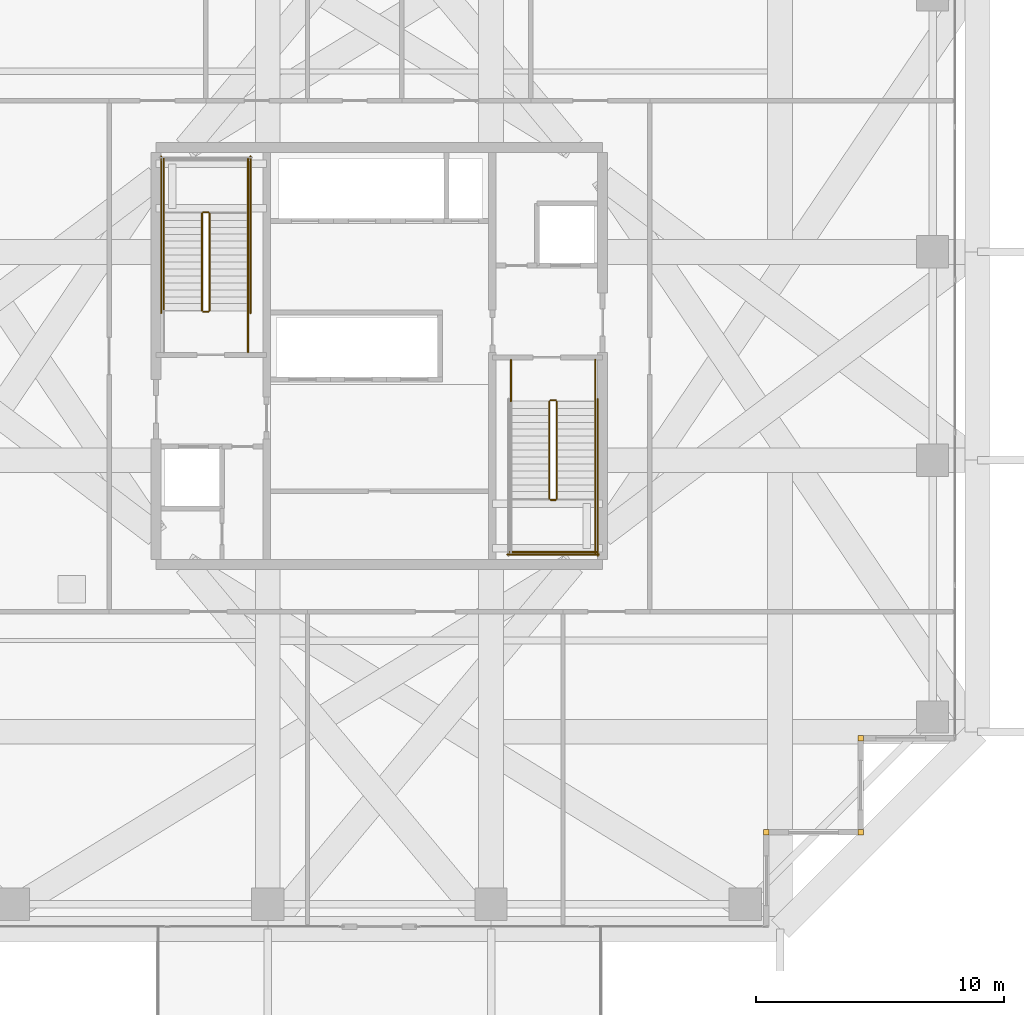
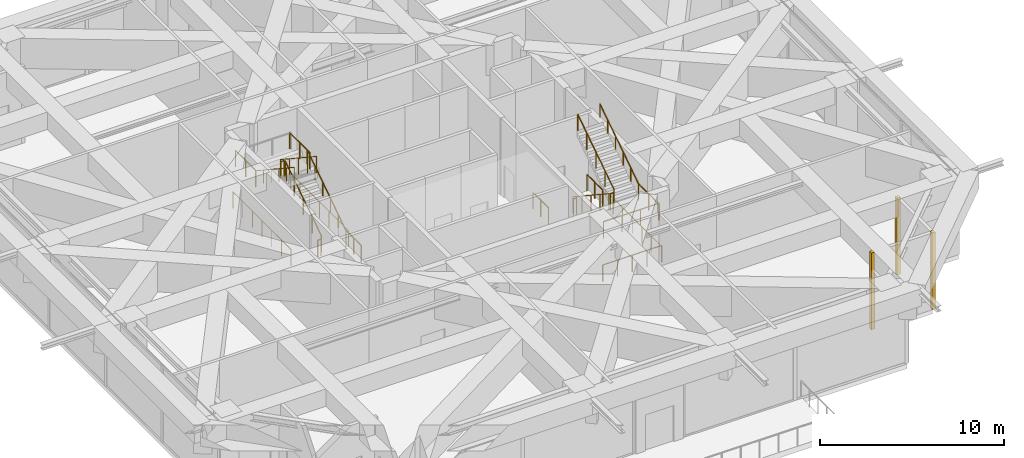
# One storey, part 37 of 38: 22 railings, 3 coverings.
"""IFC4 building model written with IfcOpenShell, lengths in metres."""

from ifc_helpers import new_model, si_unit, direction, frame, origin, origin_2d, place, context, subcontext, project, spatial, rectangle, circle, extrude, source, transform, mapped, material, layer, layer_set, type_object, element, save


model = new_model("IFC4")

# Units and contexts
model_context = context("Model", 3, precision=1e-05, world=origin(), true_north=direction((0.0, 1.0)))
body_context = subcontext(model_context, "Body", "Model", "MODEL_VIEW")
ifc_project = project(units=[si_unit("LENGTHUNIT", "METRE"), si_unit("AREAUNIT", "SQUARE_METRE"), si_unit("VOLUMEUNIT", "CUBIC_METRE"), si_unit("PLANEANGLEUNIT", "RADIAN"), si_unit("MASSUNIT", "GRAM", prefix="KILO")], contexts=[model_context])

# Site, building, storey
site_placement = place(None, origin())
site = spatial("IfcSite", under=ifc_project, at=site_placement, CompositionType="ELEMENT")
building_placement = place(site_placement, origin())
building = spatial("IfcBuilding", under=site, at=building_placement, Name="Serunith Strait Residences", CompositionType="ELEMENT")
storey_placement = place(building_placement, frame((0.0, 0.0, 204.89990234375)))
storey = spatial("IfcBuildingStorey", under=building, at=storey_placement, Name="L51", CompositionType="ELEMENT", Elevation=204.89990234375)

# Railings
ifc_material_1 = material(Name="Brushed stainless steel 316L", Category="steel")
railing_type_1 = type_object("IfcRailingType", Name="RLG-STAIR-GUARD", PredefinedType="BALUSTRADE", material=ifc_material_1)
railing_1_placement = place(storey_placement, frame((25.550048828125, 27.030029296875, 0.18505859375)))
element("IfcRailing", 1, at=railing_1_placement, inside=storey, type_object=railing_type_1, Name="L51 ST-1 stair guard 1", PredefinedType="BALUSTRADE", context=body_context, shape_type="SweptSolid", body=[
    extrude(circle(Radius=0.02392578125, at=origin_2d()), frame((0.0, 0.001708984375, 1.0771484375), z_axis=(0.0, 0.834321663476, 0.551277935215), x_axis=(-1.0, 0.0, 0.0)), (0.0, 0.0, 1.0), 4.6943359375),
    extrude(circle(Radius=0.02099609375, at=origin_2d()), origin(), (0.0, 0.0, 1.0), 1.050048828125),
    extrude(circle(Radius=0.02099609375, at=origin_2d()), frame((0.0, 0.97998046875, 0.6474609375)), (0.0, 0.0, 1.0), 1.050048828125),
    extrude(circle(Radius=0.02099609375, at=origin_2d()), frame((0.0, 1.9599609375, 1.294921875)), (0.0, 0.0, 1.0), 1.050048828125),
    extrude(circle(Radius=0.02099609375, at=origin_2d()), frame((0.0, 2.93994140625, 1.942626953125)), (0.0, 0.0, 1.0), 1.050048828125),
    extrude(circle(Radius=0.02099609375, at=origin_2d()), frame((0.0, 3.919921875, 2.590087890625)), (0.0, 0.0, 1.0), 1.050048828125),
])
railing_2_placement = place(storey_placement, frame((25.5, 31.0, 2.775146484375)))
element("IfcRailing", 2, at=railing_2_placement, inside=storey, type_object=railing_type_1, Name="L51 ST-1 stair guard 2", PredefinedType="BALUSTRADE", context=body_context, shape_type="SweptSolid", body=[
    extrude(circle(Radius=0.02392578125, at=origin_2d()), frame((-0.001953125, 0.0, 1.076171875), z_axis=(-1.0, 0.0, 0.0), x_axis=(0.0, -1.0, 0.0)), (0.0, 0.0, 1.0), 0.196044921875),
    extrude(circle(Radius=0.02099609375, at=origin_2d()), origin(), (0.0, 0.0, 1.0), 1.050048828125),
    extrude(circle(Radius=0.02099609375, at=origin_2d()), frame((-0.199951171875, 0.0, 0.0)), (0.0, 0.0, 1.0), 1.050048828125),
])
for number, where, name in (
    (3, (27.10009765625, 30.949951171875, 2.775146484375), "L51 ST-1 stair guard 3"),
    (4, (23.699951171875, 30.949951171875, 2.775146484375), "L51 ST-1 stair guard 4"),
):
    element("IfcRailing", number, at=place(storey_placement, frame(where)), inside=storey, type_object=railing_type_1, Name=name, PredefinedType="BALUSTRADE", context=body_context, shape_type="SweptSolid", body=[
        extrude(circle(Radius=0.02392578125, at=origin_2d()), frame((0.0, 0.001953125, 1.076171875), z_axis=(0.0, 1.0, 0.0), x_axis=(-1.0, 0.0, 0.0)), (0.0, 0.0, 1.0), 2.196044921875),
        extrude(circle(Radius=0.02099609375, at=origin_2d()), origin(), (0.0, 0.0, 1.0), 1.050048828125),
        extrude(circle(Radius=0.02099609375, at=origin_2d()), frame((0.0, 1.10009765625, 0.0)), (0.0, 0.0, 1.0), 1.050048828125),
        extrude(circle(Radius=0.02099609375, at=origin_2d()), frame((0.0, 2.199951171875, 0.0)), (0.0, 0.0, 1.0), 1.050048828125),
    ])
railing_3_placement = place(storey_placement, frame((25.25, 30.949951171875, 2.960205078125)))
element("IfcRailing", 5, at=railing_3_placement, inside=storey, type_object=railing_type_1, Name="L51 ST-1 stair guard 6", PredefinedType="BALUSTRADE", context=body_context, shape_type="SweptSolid", body=[
    extrude(circle(Radius=0.02392578125, at=origin_2d()), frame((0.0, -0.001708984375, 1.0771484375), z_axis=(0.0, -0.834345563508, 0.551241762437), x_axis=(1.0, 0.0, 0.0)), (0.0, 0.0, 1.0), 4.694091796875),
    extrude(circle(Radius=0.02099609375, at=origin_2d()), origin(), (0.0, 0.0, 1.0), 1.050048828125),
    extrude(circle(Radius=0.02099609375, at=origin_2d()), frame((0.0, -0.97998046875, 0.6474609375)), (0.0, 0.0, 1.0), 1.050048828125),
    extrude(circle(Radius=0.02099609375, at=origin_2d()), frame((0.0, -1.9599609375, 1.294921875)), (0.0, 0.0, 1.0), 1.050048828125),
    extrude(circle(Radius=0.02099609375, at=origin_2d()), frame((0.0, -2.93994140625, 1.9423828125)), (0.0, 0.0, 1.0), 1.050048828125),
    extrude(circle(Radius=0.02099609375, at=origin_2d()), frame((0.0, -3.919921875, 2.58984375)), (0.0, 0.0, 1.0), 1.050048828125),
])
railing_4_placement = place(storey_placement, frame((25.5, 26.97998046875, 0.0)))
element("IfcRailing", 6, at=railing_4_placement, inside=storey, type_object=railing_type_1, Name="L51 ST-1 stair guard 7", PredefinedType="BALUSTRADE", context=body_context, shape_type="SweptSolid", body=[
    extrude(circle(Radius=0.02392578125, at=origin_2d()), frame((-0.001953125, 0.0, 1.076171875), z_axis=(-1.0, 0.0, 0.0), x_axis=(0.0, -1.0, 0.0)), (0.0, 0.0, 1.0), 0.196044921875),
    extrude(circle(Radius=0.02099609375, at=origin_2d()), origin(), (0.0, 0.0, 1.0), 1.050048828125),
    extrude(circle(Radius=0.02099609375, at=origin_2d()), frame((-0.199951171875, 0.0, 0.0)), (0.0, 0.0, 1.0), 1.050048828125),
])
railing_5_placement = place(storey_placement, frame((27.10009765625, 25.35009765625, 0.0)))
element("IfcRailing", 7, at=railing_5_placement, inside=storey, type_object=railing_type_1, Name="L51 ST-1 stair guard 8", PredefinedType="BALUSTRADE", context=body_context, shape_type="SweptSolid", body=[
    extrude(circle(Radius=0.02392578125, at=origin_2d()), frame((0.0, 0.001953125, 1.076171875), z_axis=(0.0, 1.0, 0.0), x_axis=(-1.0, 0.0, 0.0)), (0.0, 0.0, 1.0), 1.676025390625),
    extrude(circle(Radius=0.02099609375, at=origin_2d()), origin(), (0.0, 0.0, 1.0), 1.050048828125),
    extrude(circle(Radius=0.02099609375, at=origin_2d()), frame((0.0, 0.83984375, 0.0)), (0.0, 0.0, 1.0), 1.050048828125),
    extrude(circle(Radius=0.02099609375, at=origin_2d()), frame((0.0, 1.679931640625, 0.0)), (0.0, 0.0, 1.0), 1.050048828125),
])
for number, where, name in (
    (8, (27.199951171875, 26.929931640625, 0.0), "L51 ST-1 stair guard 10"),
    (9, (23.60009765625, 26.929931640625, 0.0), "L51 ST-1 stair guard 11"),
):
    element("IfcRailing", number, at=place(storey_placement, frame(where)), inside=storey, type_object=railing_type_1, Name=name, PredefinedType="BALUSTRADE", context=body_context, shape_type="SweptSolid", body=[
        extrude(circle(Radius=0.02392578125, at=origin_2d()), frame((0.0, 0.001953125, 1.076171875), z_axis=(0.0, 1.0, 0.0), x_axis=(-1.0, 0.0, 0.0)), (0.0, 0.0, 1.0), 6.316162109375),
        extrude(circle(Radius=0.02099609375, at=origin_2d()), origin(), (0.0, 0.0, 1.0), 1.050048828125),
        extrude(circle(Radius=0.02099609375, at=origin_2d()), frame((0.0, 1.05322265625, 0.0)), (0.0, 0.0, 1.0), 1.050048828125),
        extrude(circle(Radius=0.02099609375, at=origin_2d()), frame((0.0, 2.106689453125, 0.0)), (0.0, 0.0, 1.0), 1.050048828125),
        extrude(circle(Radius=0.02099609375, at=origin_2d()), frame((0.0, 3.16015625, 0.0)), (0.0, 0.0, 1.0), 1.050048828125),
        extrude(circle(Radius=0.02099609375, at=origin_2d()), frame((0.0, 4.21337890625, 0.0)), (0.0, 0.0, 1.0), 1.050048828125),
        extrude(circle(Radius=0.02099609375, at=origin_2d()), frame((0.0, 5.2666015625, 0.0)), (0.0, 0.0, 1.0), 1.050048828125),
        extrude(circle(Radius=0.02099609375, at=origin_2d()), frame((0.0, 6.320068359375, 0.0)), (0.0, 0.0, 1.0), 1.050048828125),
    ])
railing_6_placement = place(storey_placement, frame((39.25, 23.3701171875, 0.18505859375)))
element("IfcRailing", 10, at=railing_6_placement, inside=storey, type_object=railing_type_1, Name="L51 ST-2 stair guard 1", PredefinedType="BALUSTRADE", context=body_context, shape_type="SweptSolid", body=[
    extrude(circle(Radius=0.02392578125, at=origin_2d()), frame((0.0, -0.001708984375, 1.0771484375), z_axis=(0.0, -0.834337454458, 0.551254035894), x_axis=(1.0, 0.0, 0.0)), (0.0, 0.0, 1.0), 4.694580078125),
    extrude(circle(Radius=0.02099609375, at=origin_2d()), origin(), (0.0, 0.0, 1.0), 1.050048828125),
    extrude(circle(Radius=0.02099609375, at=origin_2d()), frame((0.0, -0.97998046875, 0.6474609375)), (0.0, 0.0, 1.0), 1.050048828125),
    extrude(circle(Radius=0.02099609375, at=origin_2d()), frame((0.0, -1.9599609375, 1.294921875)), (0.0, 0.0, 1.0), 1.050048828125),
    extrude(circle(Radius=0.02099609375, at=origin_2d()), frame((0.0, -2.940185546875, 1.942626953125)), (0.0, 0.0, 1.0), 1.050048828125),
    extrude(circle(Radius=0.02099609375, at=origin_2d()), frame((0.0, -3.920166015625, 2.590087890625)), (0.0, 0.0, 1.0), 1.050048828125),
])
railing_7_placement = place(storey_placement, frame((39.300048828125, 19.39990234375, 2.775146484375)))
element("IfcRailing", 11, at=railing_7_placement, inside=storey, type_object=railing_type_1, Name="L51 ST-2 stair guard 2", PredefinedType="BALUSTRADE", context=body_context, shape_type="SweptSolid", body=[
    extrude(circle(Radius=0.02392578125, at=origin_2d()), frame((0.001953125, 0.0, 1.076171875), z_axis=(1.0, 0.0, 0.0), x_axis=(0.0, 1.0, 0.0)), (0.0, 0.0, 1.0), 0.196044921875),
    extrude(circle(Radius=0.02099609375, at=origin_2d()), origin(), (0.0, 0.0, 1.0), 1.050048828125),
    extrude(circle(Radius=0.02099609375, at=origin_2d()), frame((0.199951171875, 0.0, 0.0)), (0.0, 0.0, 1.0), 1.050048828125),
])
railing_8_placement = place(storey_placement, frame((41.10009765625, 19.449951171875, 2.775146484375)))
element("IfcRailing", 12, at=railing_8_placement, inside=storey, type_object=railing_type_1, Name="L51 ST-2 stair guard 4", PredefinedType="BALUSTRADE", context=body_context, shape_type="SweptSolid", body=[
    extrude(circle(Radius=0.02392578125, at=origin_2d()), frame((0.0, -0.001953125, 1.076171875), z_axis=(0.0, -1.0, 0.0), x_axis=(1.0, 0.0, 0.0)), (0.0, 0.0, 1.0), 2.196044921875),
    extrude(circle(Radius=0.02099609375, at=origin_2d()), origin(), (0.0, 0.0, 1.0), 1.050048828125),
    extrude(circle(Radius=0.02099609375, at=origin_2d()), frame((0.0, -1.10009765625, 0.0)), (0.0, 0.0, 1.0), 1.050048828125),
    extrude(circle(Radius=0.02099609375, at=origin_2d()), frame((0.0, -2.199951171875, 0.0)), (0.0, 0.0, 1.0), 1.050048828125),
])
railing_9_placement = place(storey_placement, frame((37.64990234375, 17.300048828125, 2.775146484375)))
element("IfcRailing", 13, at=railing_9_placement, inside=storey, type_object=railing_type_1, Name="L51 ST-2 stair guard 5", PredefinedType="BALUSTRADE", context=body_context, shape_type="SweptSolid", body=[
    extrude(circle(Radius=0.02392578125, at=origin_2d()), frame((0.001953125, 0.0, 1.076171875), z_axis=(1.0, 0.0, 0.0), x_axis=(0.0, 1.0, 0.0)), (0.0, 0.0, 1.0), 3.49609375),
    extrude(circle(Radius=0.02099609375, at=origin_2d()), origin(), (0.0, 0.0, 1.0), 1.050048828125),
    extrude(circle(Radius=0.02099609375, at=origin_2d()), frame((1.166748046875, 0.0, 0.0)), (0.0, 0.0, 1.0), 1.050048828125),
    extrude(circle(Radius=0.02099609375, at=origin_2d()), frame((2.333251953125, 0.0, 0.0)), (0.0, 0.0, 1.0), 1.050048828125),
    extrude(circle(Radius=0.02099609375, at=origin_2d()), frame((3.5, 0.0, 0.0)), (0.0, 0.0, 1.0), 1.050048828125),
])
railing_10_placement = place(storey_placement, frame((39.550048828125, 19.449951171875, 2.960205078125)))
element("IfcRailing", 14, at=railing_10_placement, inside=storey, type_object=railing_type_1, Name="L51 ST-2 stair guard 6", PredefinedType="BALUSTRADE", context=body_context, shape_type="SweptSolid", body=[
    extrude(circle(Radius=0.02392578125, at=origin_2d()), frame((0.0, 0.001708984375, 1.0771484375), z_axis=(0.0, 0.83436135287, 0.551217863315), x_axis=(-1.0, 0.0, 0.0)), (0.0, 0.0, 1.0), 4.6943359375),
    extrude(circle(Radius=0.02099609375, at=origin_2d()), origin(), (0.0, 0.0, 1.0), 1.050048828125),
    extrude(circle(Radius=0.02099609375, at=origin_2d()), frame((0.0, 0.97998046875, 0.6474609375)), (0.0, 0.0, 1.0), 1.050048828125),
    extrude(circle(Radius=0.02099609375, at=origin_2d()), frame((0.0, 1.9599609375, 1.294921875)), (0.0, 0.0, 1.0), 1.050048828125),
    extrude(circle(Radius=0.02099609375, at=origin_2d()), frame((0.0, 2.940185546875, 1.9423828125)), (0.0, 0.0, 1.0), 1.050048828125),
    extrude(circle(Radius=0.02099609375, at=origin_2d()), frame((0.0, 3.920166015625, 2.58984375)), (0.0, 0.0, 1.0), 1.050048828125),
])
railing_11_placement = place(storey_placement, frame((39.300048828125, 23.419921875, 0.0)))
element("IfcRailing", 15, at=railing_11_placement, inside=storey, type_object=railing_type_1, Name="L51 ST-2 stair guard 7", PredefinedType="BALUSTRADE", context=body_context, shape_type="SweptSolid", body=[
    extrude(circle(Radius=0.02392578125, at=origin_2d()), frame((0.001953125, 0.0, 1.076171875), z_axis=(1.0, 0.0, 0.0), x_axis=(0.0, 1.0, 0.0)), (0.0, 0.0, 1.0), 0.196044921875),
    extrude(circle(Radius=0.02099609375, at=origin_2d()), origin(), (0.0, 0.0, 1.0), 1.050048828125),
    extrude(circle(Radius=0.02099609375, at=origin_2d()), frame((0.199951171875, 0.0, 0.0)), (0.0, 0.0, 1.0), 1.050048828125),
])
for number, where, name in (
    (16, (37.699951171875, 25.050048828125, 0.0), "L51 ST-2 stair guard 8"),
    (17, (41.10009765625, 25.050048828125, 0.0), "L51 ST-2 stair guard 9"),
):
    element("IfcRailing", number, at=place(storey_placement, frame(where)), inside=storey, type_object=railing_type_1, Name=name, PredefinedType="BALUSTRADE", context=body_context, shape_type="SweptSolid", body=[
        extrude(circle(Radius=0.02392578125, at=origin_2d()), frame((0.0, -0.001953125, 1.076171875), z_axis=(0.0, -1.0, 0.0), x_axis=(1.0, 0.0, 0.0)), (0.0, 0.0, 1.0), 1.676025390625),
        extrude(circle(Radius=0.02099609375, at=origin_2d()), origin(), (0.0, 0.0, 1.0), 1.050048828125),
        extrude(circle(Radius=0.02099609375, at=origin_2d()), frame((0.0, -0.83984375, 0.0)), (0.0, 0.0, 1.0), 1.050048828125),
        extrude(circle(Radius=0.02099609375, at=origin_2d()), frame((0.0, -1.679931640625, 0.0)), (0.0, 0.0, 1.0), 1.050048828125),
    ])
railing_12_placement = place(storey_placement, frame((41.199951171875, 23.469970703125, 0.0)))
element("IfcRailing", 18, at=railing_12_placement, inside=storey, type_object=railing_type_1, Name="L51 ST-2 stair guard 11", PredefinedType="BALUSTRADE", context=body_context, shape_type="SweptSolid", body=[
    extrude(circle(Radius=0.02392578125, at=origin_2d()), frame((0.0, -0.001953125, 1.076171875), z_axis=(0.0, -1.0, 0.0), x_axis=(1.0, 0.0, 0.0)), (0.0, 0.0, 1.0), 6.316162109375),
    extrude(circle(Radius=0.02099609375, at=origin_2d()), origin(), (0.0, 0.0, 1.0), 1.050048828125),
    extrude(circle(Radius=0.02099609375, at=origin_2d()), frame((0.0, -1.05322265625, 0.0)), (0.0, 0.0, 1.0), 1.050048828125),
    extrude(circle(Radius=0.02099609375, at=origin_2d()), frame((0.0, -2.106689453125, 0.0)), (0.0, 0.0, 1.0), 1.050048828125),
    extrude(circle(Radius=0.02099609375, at=origin_2d()), frame((0.0, -3.16015625, 0.0)), (0.0, 0.0, 1.0), 1.050048828125),
    extrude(circle(Radius=0.02099609375, at=origin_2d()), frame((0.0, -4.21337890625, 0.0)), (0.0, 0.0, 1.0), 1.050048828125),
    extrude(circle(Radius=0.02099609375, at=origin_2d()), frame((0.0, -5.2666015625, 0.0)), (0.0, 0.0, 1.0), 1.050048828125),
    extrude(circle(Radius=0.02099609375, at=origin_2d()), frame((0.0, -6.320068359375, 0.0)), (0.0, 0.0, 1.0), 1.050048828125),
])
railing_13_placement = place(storey_placement, frame((37.550048828125, 17.199951171875, 0.0)))
element("IfcRailing", 19, at=railing_13_placement, inside=storey, type_object=railing_type_1, Name="L51 ST-2 stair guard 12", PredefinedType="BALUSTRADE", context=body_context, shape_type="SweptSolid", body=[
    extrude(circle(Radius=0.02392578125, at=origin_2d()), frame((0.001953125, 0.0, 1.076171875), z_axis=(1.0, 0.0, 0.0), x_axis=(0.0, 1.0, 0.0)), (0.0, 0.0, 1.0), 3.696044921875),
    extrude(circle(Radius=0.02099609375, at=origin_2d()), origin(), (0.0, 0.0, 1.0), 1.050048828125),
    extrude(circle(Radius=0.02099609375, at=origin_2d()), frame((0.925048828125, 0.0, 0.0)), (0.0, 0.0, 1.0), 1.050048828125),
    extrude(circle(Radius=0.02099609375, at=origin_2d()), frame((1.85009765625, 0.0, 0.0)), (0.0, 0.0, 1.0), 1.050048828125),
    extrude(circle(Radius=0.02099609375, at=origin_2d()), frame((2.77490234375, 0.0, 0.0)), (0.0, 0.0, 1.0), 1.050048828125),
    extrude(circle(Radius=0.02099609375, at=origin_2d()), frame((3.699951171875, 0.0, 0.0)), (0.0, 0.0, 1.0), 1.050048828125),
])
railing_type_2 = type_object("IfcRailingType", Name="RLG-STAIR-HR", PredefinedType="HANDRAIL", material=ifc_material_1)
railing_14_placement = place(storey_placement, frame((27.10009765625, 27.030029296875, 0.18505859375)))
element("IfcRailing", 20, at=railing_14_placement, inside=storey, type_object=railing_type_2, Name="L51 ST-1 stair handrail 1", PredefinedType="HANDRAIL", context=body_context, shape_type="SweptSolid", body=[
    extrude(circle(Radius=0.02392578125, at=origin_2d()), frame((0.0, 0.001708984375, 0.876953125), z_axis=(0.0, 0.83387282224, 0.551956625405), x_axis=(-1.0, 0.0, 0.0)), (0.0, 0.0, 1.0), 5.03271484375),
    extrude(circle(Radius=0.02099609375, at=origin_2d()), origin(), (0.0, 0.0, 1.0), 0.849853515625),
    extrude(circle(Radius=0.02099609375, at=origin_2d()), frame((0.0, 0.840087890625, 0.555908203125)), (0.0, 0.0, 1.0), 0.849853515625),
    extrude(circle(Radius=0.02099609375, at=origin_2d()), frame((0.0, 1.679931640625, 1.112060546875)), (0.0, 0.0, 1.0), 0.849853515625),
    extrude(circle(Radius=0.02099609375, at=origin_2d()), frame((0.0, 2.52001953125, 1.66796875)), (0.0, 0.0, 1.0), 0.849853515625),
    extrude(circle(Radius=0.02099609375, at=origin_2d()), frame((0.0, 3.35986328125, 2.22412109375)), (0.0, 0.0, 1.0), 0.849853515625),
    extrude(circle(Radius=0.02099609375, at=origin_2d()), frame((0.0, 4.199951171875, 2.780029296875)), (0.0, 0.0, 1.0), 0.849853515625),
])
railing_15_placement = place(storey_placement, frame((23.699951171875, 30.949951171875, 2.960205078125)))
element("IfcRailing", 21, at=railing_15_placement, inside=storey, type_object=railing_type_2, Name="L51 ST-1 stair handrail 2", PredefinedType="HANDRAIL", context=body_context, shape_type="SweptSolid", body=[
    extrude(circle(Radius=0.02392578125, at=origin_2d()), frame((0.0, -0.001708984375, 0.876953125), z_axis=(0.0, -0.833895132199, 0.55192291898), x_axis=(1.0, 0.0, 0.0)), (0.0, 0.0, 1.0), 5.032470703125),
    extrude(circle(Radius=0.02099609375, at=origin_2d()), origin(), (0.0, 0.0, 1.0), 0.849853515625),
    extrude(circle(Radius=0.02099609375, at=origin_2d()), frame((0.0, -0.840087890625, 0.555908203125)), (0.0, 0.0, 1.0), 0.849853515625),
    extrude(circle(Radius=0.02099609375, at=origin_2d()), frame((0.0, -1.679931640625, 1.11181640625)), (0.0, 0.0, 1.0), 0.849853515625),
    extrude(circle(Radius=0.02099609375, at=origin_2d()), frame((0.0, -2.52001953125, 1.66796875)), (0.0, 0.0, 1.0), 0.849853515625),
    extrude(circle(Radius=0.02099609375, at=origin_2d()), frame((0.0, -3.35986328125, 2.223876953125)), (0.0, 0.0, 1.0), 0.849853515625),
    extrude(circle(Radius=0.02099609375, at=origin_2d()), frame((0.0, -4.199951171875, 2.77978515625)), (0.0, 0.0, 1.0), 0.849853515625),
])
railing_16_placement = place(storey_placement, frame((41.10009765625, 19.449951171875, 2.960205078125)))
element("IfcRailing", 22, at=railing_16_placement, inside=storey, type_object=railing_type_2, Name="L51 ST-2 stair handrail 2", PredefinedType="HANDRAIL", context=body_context, shape_type="SweptSolid", body=[
    extrude(circle(Radius=0.02392578125, at=origin_2d()), frame((0.0, 0.001708984375, 0.876953125), z_axis=(0.0, 0.833895132199, 0.55192291898), x_axis=(-1.0, 0.0, 0.0)), (0.0, 0.0, 1.0), 5.032470703125),
    extrude(circle(Radius=0.02099609375, at=origin_2d()), origin(), (0.0, 0.0, 1.0), 0.849853515625),
    extrude(circle(Radius=0.02099609375, at=origin_2d()), frame((0.0, 0.840087890625, 0.555908203125)), (0.0, 0.0, 1.0), 0.849853515625),
    extrude(circle(Radius=0.02099609375, at=origin_2d()), frame((0.0, 1.679931640625, 1.11181640625)), (0.0, 0.0, 1.0), 0.849853515625),
    extrude(circle(Radius=0.02099609375, at=origin_2d()), frame((0.0, 2.52001953125, 1.66796875)), (0.0, 0.0, 1.0), 0.849853515625),
    extrude(circle(Radius=0.02099609375, at=origin_2d()), frame((0.0, 3.35986328125, 2.223876953125)), (0.0, 0.0, 1.0), 0.849853515625),
    extrude(circle(Radius=0.02099609375, at=origin_2d()), frame((0.0, 4.199951171875, 2.77978515625)), (0.0, 0.0, 1.0), 0.849853515625),
])

# Coverings
ifc_material_2 = material(Name="Pale-Champagne Anodised Aluminium", Category="aluminium")
ifc_layer = layer(ifc_material_2, 0.219970703125, Name="Pale-Champagne Anodised Aluminium")
ifc_layer_set = layer_set([ifc_layer], Name="Pale-Champagne Anodised Aluminium")
covering_type = type_object("IfcCoveringType", Name="COV-CORN-TRIM", PredefinedType="CLADDING", material=ifc_layer_set)
shared_shape = source(origin(), body_context, "Body", "SweptSolid", [
    extrude(rectangle(XDim=0.221923828125, YDim=0.221923828125, at=origin_2d()), origin(), (0.0, 0.0, 1.0), 5.094970703125),
])
for number, where, z_axis, x_axis, name in (
    (23, (48.0, 6.0, 0.0), (0.0, 0.0, 1.0), (1.0, 0.0, 0.0), "L51 Girih Serrated Corner Trim Post 02"),
    (24, (51.800048828125, 6.0, 0.0), (0.0, 0.0, 1.0), (1.0, 0.0, 0.0), "L51 Girih Serrated Corner Trim Post 03"),
    (25, (51.800048828125, 9.800048828125, 0.0), (0.0, 0.0, 1.0), (1.0, 0.0, 0.0), "L51 Girih Serrated Corner Trim Post 04"),
):
    element("IfcCovering", number, at=place(storey_placement, frame(where, z_axis=z_axis, x_axis=x_axis)), inside=storey, type_object=covering_type, Name=name, PredefinedType="CLADDING", context=body_context, shape_type="MappedRepresentation", body=[
        mapped(shared_shape, transform((0.0, 0.0, 0.0), scale=1.0)),
    ])

save(model, "model.ifc")
